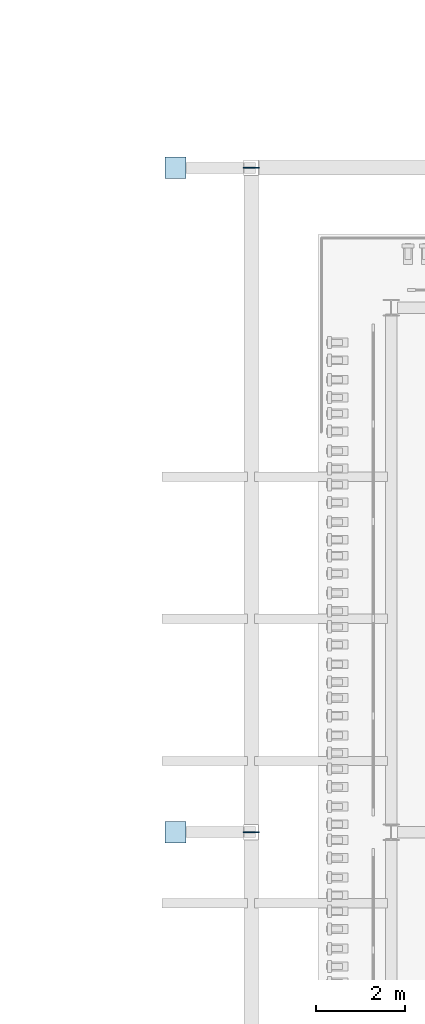
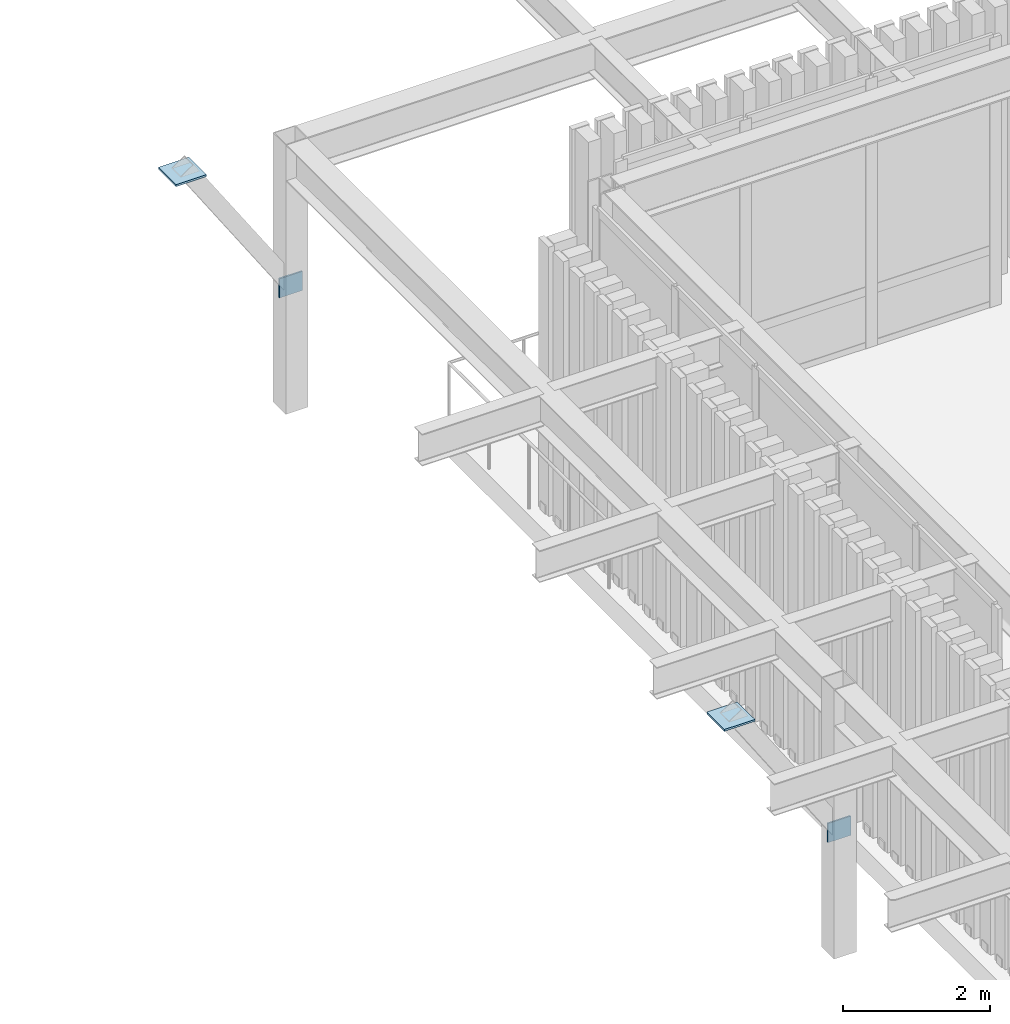
# One storey, part 86 of 126: 4 plates.
"""IFC4 building model written with IfcOpenShell, lengths in metres."""

from ifc_helpers import new_model, si_unit, derived_unit, direction, frame, origin, origin_2d, place, context, subcontext, project, spatial, rectangle, extrude, material, layer, layer_set, type_object, element, save


model = new_model("IFC4")

# Units and contexts
model_context = context("Model", 3, precision=1e-05, world=origin(), true_north=direction((0.0, 1.0)))
body_context = subcontext(model_context, "Body", "Model", "MODEL_VIEW")
ifc_project = project(units=[si_unit("LENGTHUNIT", "METRE"), si_unit("AREAUNIT", "SQUARE_METRE"), si_unit("VOLUMEUNIT", "CUBIC_METRE"), si_unit("PLANEANGLEUNIT", "RADIAN"), si_unit("MASSUNIT", "GRAM", prefix="KILO"), derived_unit("THERMALTRANSMITTANCEUNIT", [(si_unit("MASSUNIT", "GRAM", prefix="KILO"), 1), (si_unit("TIMEUNIT", "SECOND"), -3), (si_unit("THERMODYNAMICTEMPERATUREUNIT", "KELVIN"), -1)])], contexts=[model_context])

# Site, building, storey
site_placement = place(None, origin())
site = spatial("IfcSite", under=ifc_project, at=site_placement, CompositionType="ELEMENT")
building_placement = place(site_placement, origin())
building = spatial("IfcBuilding", under=site, at=building_placement, Name="Valcora Ridge Arena", CompositionType="ELEMENT")
storey_placement = place(building_placement, frame((0.0, 0.0, 11.39990234375)))
storey = spatial("IfcBuildingStorey", under=building, at=storey_placement, Name="L02", CompositionType="ELEMENT", Elevation=11.39990234375)

# Plates
ifc_material = material(Name="Steel ASTM A572 Grade 50", Category="steel")
ifc_layer_1 = layer(ifc_material, 0.031982421875, Name="Steel ASTM A572 Grade 50")
ifc_layer_set_1 = layer_set([ifc_layer_1], Name="Steel ASTM A572 Grade 50")
plate_type_1 = type_object("IfcPlateType", Name="TY-PLATE-PL-CAP-450", PredefinedType="USERDEFINED", material=ifc_layer_set_1)
for number, where, z_axis, x_axis, name in (
    (1, (132.35009765625, 66.0, 4.4482421875), (0.0, 0.0, 1.0), (1.0, 0.0, 0.0), "PL-CAP-450 KB-GP-0011"),
    (2, (132.35009765625, 80.949951171875, 4.4482421875), (0.0, 0.0, 1.0), (1.0, 0.0, 0.0), "PL-CAP-450 KB-GP-0013"),
):
    element("IfcPlate", number, at=place(storey_placement, frame(where, z_axis=z_axis, x_axis=x_axis)), inside=storey, type_object=plate_type_1, Name=name, ObjectType="GUSSET_PLATE", PredefinedType="USERDEFINED", context=body_context, shape_type="SweptSolid", body=[
        extrude(rectangle(XDim=0.47998046875, YDim=0.47998046875, at=origin_2d()), origin(), (0.0, 0.0, 1.0), 0.031982421875),
    ])
ifc_layer_2 = layer(ifc_material, 0.02490234375, Name="Steel ASTM A572 Grade 50")
ifc_layer_set_2 = layer_set([ifc_layer_2], Name="Steel ASTM A572 Grade 50")
plate_type_2 = type_object("IfcPlateType", Name="TY-PLATE-PL-GUS-25E", PredefinedType="USERDEFINED", material=ifc_layer_set_2)
for number, where, z_axis, x_axis, name in (
    (3, (134.050048828125, 66.0, 1.83984375), (0.0, 0.0, 1.0), (1.0, 0.0, 0.0), "PL-GUS-25E KB-GP-0029"),
    (4, (134.050048828125, 80.949951171875, 1.83984375), (0.0, 0.0, 1.0), (1.0, 0.0, 0.0), "PL-GUS-25E KB-GP-0031"),
):
    element("IfcPlate", number, at=place(storey_placement, frame(where, z_axis=z_axis, x_axis=x_axis)), inside=storey, type_object=plate_type_2, Name=name, ObjectType="GUSSET_PLATE", PredefinedType="USERDEFINED", context=body_context, shape_type="SweptSolid", body=[
        extrude(rectangle(XDim=0.360107421875, YDim=0.02490234375, at=origin_2d()), origin(), (0.0, 0.0, 1.0), 0.320068359375),
    ])

save(model, "model.ifc")
